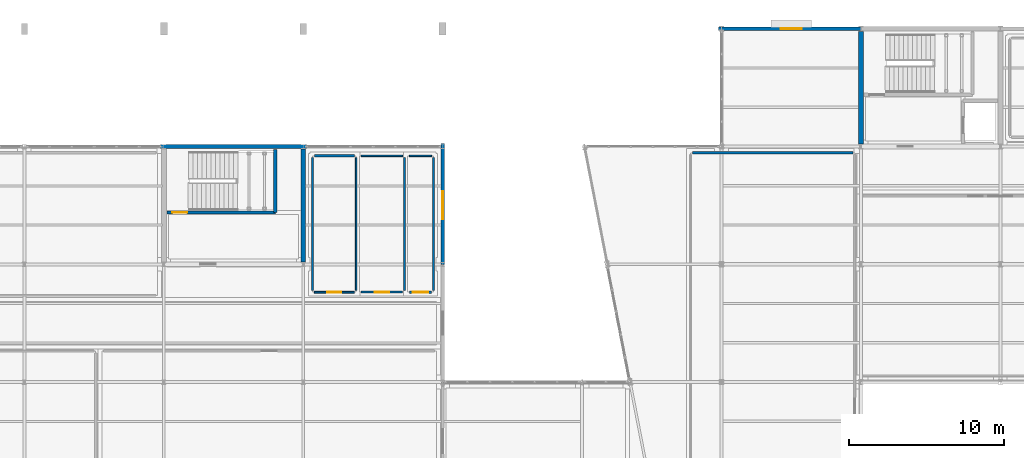
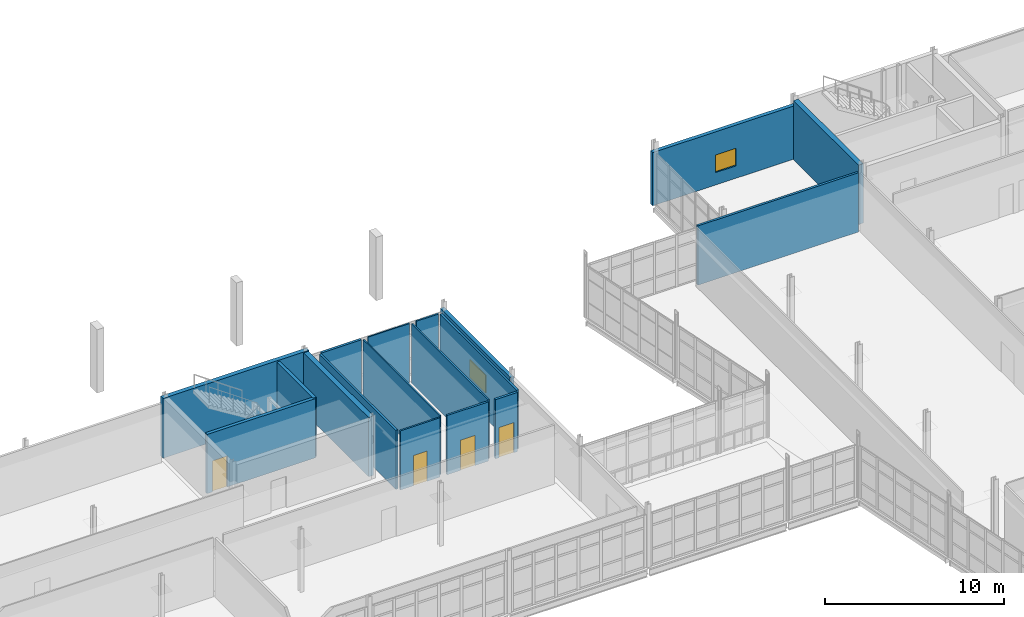
# One storey, part 157 of 166: 18 walls, 4 doors, 2 windows, 6 openings.
"""IFC4 building model written with IfcOpenShell, lengths in metres."""

from ifc_helpers import new_model, si_unit, direction, frame, frame_2d, origin, place, context, subcontext, project, spatial, rectangle, extrude, material, layer, layer_set, type_object, element, fill, save


model = new_model("IFC4")

# Units and contexts
model_context = context("Model", 3, precision=1e-05, world=origin(), true_north=direction((0.0, 1.0)))
body_context = subcontext(model_context, "Body", "Model", "MODEL_VIEW")
ifc_project = project(units=[si_unit("LENGTHUNIT", "METRE"), si_unit("AREAUNIT", "SQUARE_METRE"), si_unit("VOLUMEUNIT", "CUBIC_METRE"), si_unit("PLANEANGLEUNIT", "RADIAN"), si_unit("MASSUNIT", "GRAM", prefix="KILO")], contexts=[model_context])

# Site, building, storey
site_placement = place(None, origin())
site = spatial("IfcSite", under=ifc_project, at=site_placement, CompositionType="ELEMENT")
building_placement = place(site_placement, origin())
building = spatial("IfcBuilding", under=site, at=building_placement, Name="Caisbarro Railhouse Central Library", CompositionType="ELEMENT")
storey_placement = place(building_placement, frame((0.0, 0.0, 9.360107421875)))
storey = spatial("IfcBuildingStorey", under=building, at=storey_placement, Name="L02", CompositionType="ELEMENT", Elevation=9.360107421875)

# Walls
ifc_material_1 = material(Name="Concrete C40", Category="concrete")
ifc_layer_1 = layer(ifc_material_1, 0.320068359375, Name="Concrete C40")
ifc_layer_set_1 = layer_set([ifc_layer_1], Name="Concrete C40")
wall_type_1 = type_object("IfcWallType", Name="WAL-CW32", PredefinedType="SHEAR", material=ifc_layer_set_1)
for number, where, z_axis, x_axis, name in (
    (1, (126.0, 106.56005859375, 0.0), (0.0, 0.0, 1.0), (0.0, 1.0, 0.0), "CW32 RC core shear wall L02 #47"),
    (2, (90.0, 98.9599609375, 0.0), (0.0, 0.0, 1.0), (0.0, 1.0, 0.0), "CW32 RC core shear wall L02 #78"),
):
    element("IfcWall", number, at=place(storey_placement, frame(where, z_axis=z_axis, x_axis=x_axis)), inside=storey, type_object=wall_type_1, Name=name, PredefinedType="SHEAR", context=body_context, shape_type="SweptSolid", body=[
        extrude(rectangle(XDim=7.280029296875, YDim=0.320068359375, at=frame_2d((3.64013671875, 0.0))), origin(), (0.0, 0.0, 1.0), 4.039794921875),
    ])

# Wall, opening, window
ifc_material_2 = material(Name="Concrete C35 insulated architectural precast", Category="concrete")
ifc_layer_2 = layer(ifc_material_2, 0.239990234375, Name="Concrete C35 insulated architectural precast")
ifc_layer_set_2 = layer_set([ifc_layer_2], Name="Concrete C35 insulated architectural precast")
wall_type_2 = type_object("IfcWallType", Name="WAL-EW24", PredefinedType="STANDARD", material=ifc_layer_set_2)
wall_1_placement = place(storey_placement, frame((116.7900390625, 114.0, 0.0), z_axis=(0.0, 0.0, 1.0), x_axis=(1.0, 0.0, 0.0)))
wall_1 = element("IfcWall", 3, at=wall_1_placement, inside=storey, type_object=wall_type_2, Name="EW24 exterior wall L02 #213", PredefinedType="STANDARD", context=body_context, shape_type="SweptSolid", body=[
    extrude(rectangle(XDim=9.2099609375, YDim=0.239990234375, at=frame_2d((4.60498046875, 0.0))), origin(), (0.0, 0.0, 1.0), 3.630859375),
])
opening_1_placement = place(wall_1_placement, frame((4.034912109375, 0.0, 0.85009765625)))
opening_1 = element("IfcOpeningElement", 4, at=opening_1_placement, cuts=wall_1, Name="Opening W04", PredefinedType="OPENING", context=body_context, shape_type="SweptSolid", body=[
    extrude(rectangle(XDim=1.35009765625, YDim=1.199951171875, at=frame_2d((0.675048828125, 0.60009765625))), frame((0.0, 0.1298828125, 0.0), z_axis=(0.0, -1.0, 0.0), x_axis=(1.0, 0.0, 0.0)), (0.0, 0.0, 1.0), 0.260009765625),
])
ifc_material_3 = material(Name="Double low-e laminated solar-control glass", Category="glass")
window_type_1 = type_object("IfcWindowType", Name="WIN-W04", PartitioningType="SINGLE_PANEL", PredefinedType="WINDOW", material=ifc_material_3)
window_1_placement = place(opening_1_placement, origin())
window_1 = element("IfcWindow", 5, at=window_1_placement, inside=storey, type_object=window_type_1, Name="W04 window L02-072", OverallHeight=1.199951171875, OverallWidth=1.35009765625, PartitioningType="SINGLE_PANEL", PredefinedType="WINDOW", context=body_context, shape_type="SweptSolid", body=[
    extrude(rectangle(XDim=1.35009765625, YDim=1.199951171875, at=frame_2d((0.675048828125, 0.60009765625))), frame((0.0, 0.030029296875, 0.0), z_axis=(0.0, -1.0, 0.0), x_axis=(1.0, 0.0, 0.0)), (0.0, 0.0, 1.0), 0.06005859375),
])
fill(opening_1, window_1)

wall_2_placement = place(storey_placement, frame((99.0, 98.800048828125, 0.0), z_axis=(0.0, 0.0, 1.0), x_axis=(0.0, 1.0, 0.0)))
wall_2 = element("IfcWall", 6, at=wall_2_placement, inside=storey, type_object=wall_type_2, Name="EW24 exterior wall L02 #253", PredefinedType="STANDARD", context=body_context, shape_type="SweptSolid", body=[
    extrude(rectangle(XDim=7.81005859375, YDim=0.239990234375, at=frame_2d((3.905029296875, 0.0))), origin(), (0.0, 0.0, 1.0), 3.700927734375),
])
opening_2_placement = place(wall_2_placement, frame((2.89990234375, 0.0, 0.85009765625)))
opening_2 = element("IfcOpeningElement", 7, at=opening_2_placement, cuts=wall_2, Name="Opening W07", PredefinedType="OPENING", context=body_context, shape_type="SweptSolid", body=[
    extrude(rectangle(XDim=1.800048828125, YDim=1.199951171875, at=frame_2d((0.89990234375, 0.60009765625))), frame((0.0, 0.1298828125, 0.0), z_axis=(0.0, -1.0, 0.0), x_axis=(1.0, 0.0, 0.0)), (0.0, 0.0, 1.0), 0.260009765625),
])
window_type_2 = type_object("IfcWindowType", Name="WIN-W07", PartitioningType="SINGLE_PANEL", PredefinedType="WINDOW", material=ifc_material_3)
window_2_placement = place(opening_2_placement, origin())
window_2 = element("IfcWindow", 8, at=window_2_placement, inside=storey, type_object=window_type_2, Name="W07 window L02-100", OverallHeight=1.199951171875, OverallWidth=1.800048828125, PartitioningType="SINGLE_PANEL", PredefinedType="WINDOW", context=body_context, shape_type="SweptSolid", body=[
    extrude(rectangle(XDim=1.800048828125, YDim=1.199951171875, at=frame_2d((0.89990234375, 0.60009765625))), frame((0.0, 0.030029296875, 0.0), z_axis=(0.0, -1.0, 0.0), x_axis=(1.0, 0.0, 0.0)), (0.0, 0.0, 1.0), 0.06005859375),
])
fill(opening_2, window_2)

# Walls
ifc_layer_3 = layer(ifc_material_1, 0.280029296875, Name="Concrete C40")
ifc_layer_set_3 = layer_set([ifc_layer_3], Name="Concrete C40")
wall_type_3 = type_object("IfcWallType", Name="WAL-EW28", PredefinedType="SOLIDWALL", material=ifc_layer_set_3)
wall_3_placement = place(storey_placement, frame((80.7900390625, 106.39990234375, 0.0), z_axis=(0.0, 0.0, 1.0), x_axis=(1.0, 0.0, 0.0)))
element("IfcWall", 9, at=wall_3_placement, inside=storey, type_object=wall_type_3, Name="EW28 exterior wall L02 #248", PredefinedType="SOLIDWALL", context=body_context, shape_type="SweptSolid", body=[
    extrude(rectangle(XDim=9.419921875, YDim=0.280029296875, at=frame_2d((4.7099609375, 0.0))), origin(), (0.0, 0.0, 1.0), 4.079833984375),
])
ifc_material_4 = material(Name="Acoustic gypsum board on galvanised steel studs", Category="steel")
ifc_layer_4 = layer(ifc_material_4, 0.090087890625, Name="Acoustic gypsum board on galvanised steel studs")
ifc_layer_set_4 = layer_set([ifc_layer_4], Name="Acoustic gypsum board on galvanised steel studs")
wall_type_4 = type_object("IfcWallType", Name="WAL-IW09", PredefinedType="PARTITIONING", material=ifc_layer_set_4)
wall_4_placement = place(storey_placement, frame((93.416015625, 97.1201171875, 0.0), z_axis=(0.0, 0.0, 1.0), x_axis=(0.0, 1.0, 0.0)))
element("IfcWall", 10, at=wall_4_placement, inside=storey, type_object=wall_type_4, Name="IW09 partition wall L02 #499", PredefinedType="PARTITIONING", context=body_context, shape_type="SweptSolid", body=[
    extrude(rectangle(XDim=8.559814453125, YDim=0.090087890625, at=frame_2d((4.27978515625, 0.0))), origin(), (0.0, 0.0, 1.0), 4.039794921875),
])
wall_5_placement = place(storey_placement, frame((93.736083984375, 105.800048828125, 0.0), z_axis=(0.0, 0.0, 1.0), x_axis=(1.0, 0.0, 0.0)))
element("IfcWall", 11, at=wall_5_placement, inside=storey, type_object=wall_type_4, Name="IW09 partition wall L02 #503", PredefinedType="PARTITIONING", context=body_context, shape_type="SweptSolid", body=[
    extrude(rectangle(XDim=2.676025390625, YDim=0.090087890625, at=frame_2d((1.337890625, 0.0))), origin(), (0.0, 0.0, 1.0), 4.039794921875),
])

# Wall, opening, door
ifc_layer_5 = layer(ifc_material_4, 0.110107421875, Name="Acoustic gypsum board on galvanised steel studs")
ifc_layer_set_5 = layer_set([ifc_layer_5], Name="Acoustic gypsum board on galvanised steel studs")
wall_type_5 = type_object("IfcWallType", Name="WAL-IW11", PredefinedType="PARTITIONING", material=ifc_layer_set_5)
wall_6_placement = place(storey_placement, frame((90.719970703125, 97.0, 0.0), z_axis=(0.0, 0.0, 1.0), x_axis=(1.0, 0.0, 0.0)))
wall_6 = element("IfcWall", 12, at=wall_6_placement, inside=storey, type_object=wall_type_5, Name="IW11 partition wall L02 #498", PredefinedType="PARTITIONING", context=body_context, shape_type="SweptSolid", body=[
    extrude(rectangle(XDim=2.575927734375, YDim=0.110107421875, at=frame_2d((1.2880859375, 0.0))), origin(), (0.0, 0.0, 1.0), 4.039794921875),
])
opening_3_placement = place(wall_6_placement, frame((0.837890625, 0.0, 0.0)))
opening_3 = element("IfcOpeningElement", 13, at=opening_3_placement, cuts=wall_6, Name="Opening ID02", PredefinedType="OPENING", context=body_context, shape_type="SweptSolid", body=[
    extrude(rectangle(XDim=0.89990234375, YDim=2.06005859375, at=frame_2d((0.449951171875, 1.030029296875))), frame((0.0, 0.06494140625, 0.0), z_axis=(0.0, -1.0, 0.0), x_axis=(1.0, 0.0, 0.0)), (0.0, 0.0, 1.0), 0.130126953125),
])
ifc_material_5 = material(Name="Solid-core tropical hardwood veneer", Category="wood")
door_type_1 = type_object("IfcDoorType", Name="DR-ID02", OperationType="NOTDEFINED", PredefinedType="DOOR", material=ifc_material_5)
door_1_placement = place(opening_3_placement, origin())
door_1 = element("IfcDoor", 14, at=door_1_placement, inside=storey, type_object=door_type_1, Name="Male WC L02-V6 Door ID02 L02-288", OperationType="SINGLE_SWING_RIGHT", OverallHeight=2.06005859375, OverallWidth=0.89990234375, PredefinedType="DOOR", context=body_context, shape_type="SweptSolid", body=[
    extrude(rectangle(XDim=0.89990234375, YDim=2.06005859375, at=frame_2d((0.449951171875, 1.030029296875))), frame((0.0, 0.02490234375, 0.0), z_axis=(0.0, -1.0, 0.0), x_axis=(1.0, 0.0, 0.0)), (0.0, 0.0, 1.0), 0.050048828125),
])
fill(opening_3, door_1)

# Walls
wall_7_placement = place(storey_placement, frame((96.531982421875, 97.1201171875, 0.0), z_axis=(0.0, 0.0, 1.0), x_axis=(0.0, 1.0, 0.0)))
element("IfcWall", 15, at=wall_7_placement, inside=storey, type_object=wall_type_5, Name="IW11 partition wall L02 #502", PredefinedType="PARTITIONING", context=body_context, shape_type="SweptSolid", body=[
    extrude(rectangle(XDim=8.559814453125, YDim=0.110107421875, at=frame_2d((4.27978515625, 0.0))), origin(), (0.0, 0.0, 1.0), 4.039794921875),
])
wall_8_placement = place(storey_placement, frame((96.85205078125, 105.800048828125, 0.0), z_axis=(0.0, 0.0, 1.0), x_axis=(1.0, 0.0, 0.0)))
element("IfcWall", 16, at=wall_8_placement, inside=storey, type_object=wall_type_5, Name="IW11 partition wall L02 #506", PredefinedType="PARTITIONING", context=body_context, shape_type="SweptSolid", body=[
    extrude(rectangle(XDim=1.427978515625, YDim=0.110107421875, at=frame_2d((0.7138671875, 0.0))), origin(), (0.0, 0.0, 1.0), 4.039794921875),
])
ifc_layer_6 = layer(ifc_material_4, 0.1298828125, Name="Acoustic gypsum board on galvanised steel studs")
ifc_layer_set_6 = layer_set([ifc_layer_6], Name="Acoustic gypsum board on galvanised steel studs")
wall_type_6 = type_object("IfcWallType", Name="WAL-IW13", PredefinedType="PARTITIONING", material=ifc_layer_set_6)
wall_9_placement = place(storey_placement, frame((90.60009765625, 97.1201171875, 0.0), z_axis=(0.0, 0.0, 1.0), x_axis=(0.0, 1.0, 0.0)))
element("IfcWall", 17, at=wall_9_placement, inside=storey, type_object=wall_type_6, Name="IW13 partition wall L02 #497", PredefinedType="PARTITIONING", context=body_context, shape_type="SweptSolid", body=[
    extrude(rectangle(XDim=8.559814453125, YDim=0.1298828125, at=frame_2d((4.27978515625, 0.0))), origin(), (0.0, 0.0, 1.0), 4.039794921875),
])

# Wall, opening, door
wall_10_placement = place(storey_placement, frame((93.736083984375, 97.0, 0.0), z_axis=(0.0, 0.0, 1.0), x_axis=(1.0, 0.0, 0.0)))
wall_10 = element("IfcWall", 18, at=wall_10_placement, inside=storey, type_object=wall_type_6, Name="IW13 partition wall L02 #501", PredefinedType="PARTITIONING", context=body_context, shape_type="SweptSolid", body=[
    extrude(rectangle(XDim=2.676025390625, YDim=0.1298828125, at=frame_2d((1.337890625, 0.0))), origin(), (0.0, 0.0, 1.0), 4.039794921875),
])
opening_4_placement = place(wall_10_placement, frame((0.867919921875, 0.0, 0.0)))
opening_4 = element("IfcOpeningElement", 19, at=opening_4_placement, cuts=wall_10, Name="Opening ID03", PredefinedType="OPENING", context=body_context, shape_type="SweptSolid", body=[
    extrude(rectangle(XDim=0.93994140625, YDim=2.06005859375, at=frame_2d((0.469970703125, 1.030029296875))), frame((0.0, 0.074951171875, 0.0), z_axis=(0.0, -1.0, 0.0), x_axis=(1.0, 0.0, 0.0)), (0.0, 0.0, 1.0), 0.14990234375),
])
door_type_2 = type_object("IfcDoorType", Name="DR-ID03", OperationType="NOTDEFINED", PredefinedType="DOOR", material=ifc_material_5)
door_2_placement = place(opening_4_placement, origin())
door_2 = element("IfcDoor", 20, at=door_2_placement, inside=storey, type_object=door_type_2, Name="Female WC L02-V6 Door ID03 L02-289", OperationType="SINGLE_SWING_LEFT", OverallHeight=2.06005859375, OverallWidth=0.93994140625, PredefinedType="DOOR", context=body_context, shape_type="SweptSolid", body=[
    extrude(rectangle(XDim=0.93994140625, YDim=2.06005859375, at=frame_2d((0.469970703125, 1.030029296875))), frame((0.0, 0.02490234375, 0.0), z_axis=(0.0, -1.0, 0.0), x_axis=(1.0, 0.0, 0.0)), (0.0, 0.0, 1.0), 0.050048828125),
])
fill(opening_4, door_2)

# Walls
wall_11_placement = place(storey_placement, frame((98.39990234375, 97.1201171875, 0.0), z_axis=(0.0, 0.0, 1.0), x_axis=(0.0, 1.0, 0.0)))
element("IfcWall", 21, at=wall_11_placement, inside=storey, type_object=wall_type_6, Name="IW13 partition wall L02 #505", PredefinedType="PARTITIONING", context=body_context, shape_type="SweptSolid", body=[
    extrude(rectangle(XDim=8.559814453125, YDim=0.1298828125, at=frame_2d((4.27978515625, 0.0))), origin(), (0.0, 0.0, 1.0), 4.039794921875),
])
ifc_layer_7 = layer(ifc_material_4, 0.14990234375, Name="Acoustic gypsum board on galvanised steel studs")
ifc_layer_set_7 = layer_set([ifc_layer_7], Name="Acoustic gypsum board on galvanised steel studs")
wall_type_7 = type_object("IfcWallType", Name="WAL-IW15", PredefinedType="PARTITIONING", material=ifc_layer_set_7)
wall_12_placement = place(storey_placement, frame((90.719970703125, 105.800048828125, 0.0), z_axis=(0.0, 0.0, 1.0), x_axis=(1.0, 0.0, 0.0)))
element("IfcWall", 22, at=wall_12_placement, inside=storey, type_object=wall_type_7, Name="IW15 partition wall L02 #500", PredefinedType="PARTITIONING", context=body_context, shape_type="SweptSolid", body=[
    extrude(rectangle(XDim=2.575927734375, YDim=0.14990234375, at=frame_2d((1.2880859375, 0.0))), origin(), (0.0, 0.0, 1.0), 4.039794921875),
])

# Wall, opening, door
wall_13_placement = place(storey_placement, frame((96.85205078125, 97.0, 0.0), z_axis=(0.0, 0.0, 1.0), x_axis=(1.0, 0.0, 0.0)))
wall_13 = element("IfcWall", 23, at=wall_13_placement, inside=storey, type_object=wall_type_7, Name="IW15 partition wall L02 #504", PredefinedType="PARTITIONING", context=body_context, shape_type="SweptSolid", body=[
    extrude(rectangle(XDim=1.427978515625, YDim=0.14990234375, at=frame_2d((0.7138671875, 0.0))), origin(), (0.0, 0.0, 1.0), 4.039794921875),
])
opening_5_placement = place(wall_13_placement, frame((0.22412109375, 0.0, 0.0)))
opening_5 = element("IfcOpeningElement", 24, at=opening_5_placement, cuts=wall_13, Name="Opening ID04", PredefinedType="OPENING", context=body_context, shape_type="SweptSolid", body=[
    extrude(rectangle(XDim=0.97998046875, YDim=2.06005859375, at=frame_2d((0.489990234375, 1.030029296875))), frame((0.0, 0.0849609375, 0.0), z_axis=(0.0, -1.0, 0.0), x_axis=(1.0, 0.0, 0.0)), (0.0, 0.0, 1.0), 0.169921875),
])
door_type_3 = type_object("IfcDoorType", Name="DR-ID04", OperationType="NOTDEFINED", PredefinedType="DOOR", material=ifc_material_5)
door_3_placement = place(opening_5_placement, origin())
door_3 = element("IfcDoor", 25, at=door_3_placement, inside=storey, type_object=door_type_3, Name="Accessible WC L02-V6 Door ID04 L02-290", OperationType="SINGLE_SWING_RIGHT", OverallHeight=2.06005859375, OverallWidth=0.97998046875, PredefinedType="DOOR", context=body_context, shape_type="SweptSolid", body=[
    extrude(rectangle(XDim=0.97998046875, YDim=2.06005859375, at=frame_2d((0.489990234375, 1.030029296875))), frame((0.0, 0.02490234375, 0.0), z_axis=(0.0, -1.0, 0.0), x_axis=(1.0, 0.0, 0.0)), (0.0, 0.0, 1.0), 0.050048828125),
])
fill(opening_5, door_3)

# Wall
wall_14_placement = place(storey_placement, frame((115.1201171875, 106.0, 0.0), z_axis=(0.0, 0.0, 1.0), x_axis=(1.0, 0.0, 0.0)))
element("IfcWall", 26, at=wall_14_placement, inside=storey, type_object=wall_type_7, Name="IW15 partition wall L02 #512", PredefinedType="PARTITIONING", context=body_context, shape_type="SweptSolid", body=[
    extrude(rectangle(XDim=10.35986328125, YDim=0.14990234375, at=frame_2d((5.179931640625, 0.0))), origin(), (0.0, 0.0, 1.0), 4.039794921875),
])

# Wall, opening, door
ifc_layer_8 = layer(ifc_material_1, 0.2099609375, Name="Concrete C40")
ifc_layer_set_8 = layer_set([ifc_layer_8], Name="Concrete C40")
wall_type_8 = type_object("IfcWallType", Name="WAL-SW21", PredefinedType="SOLIDWALL", material=ifc_layer_set_8)
wall_15_placement = place(storey_placement, frame((81.199951171875, 102.14990234375, 0.0), z_axis=(0.0, 0.0, 1.0), x_axis=(1.0, 0.0, 0.0)))
wall_15 = element("IfcWall", 27, at=wall_15_placement, inside=storey, type_object=wall_type_8, Name="SW21 core shaft wall L02 #139", PredefinedType="SOLIDWALL", context=body_context, shape_type="SweptSolid", body=[
    extrude(rectangle(XDim=7.0, YDim=0.2099609375, at=frame_2d((3.5, 0.0))), origin(), (0.0, 0.0, 1.0), 4.039794921875),
])
opening_6_placement = place(wall_15_placement, frame((0.35009765625, 0.0, 0.0)))
opening_6 = element("IfcOpeningElement", 28, at=opening_6_placement, cuts=wall_15, Name="Opening FD01", PredefinedType="OPENING", context=body_context, shape_type="SweptSolid", body=[
    extrude(rectangle(XDim=0.949951171875, YDim=2.1201171875, at=frame_2d((0.47509765625, 1.06005859375))), frame((0.0, 0.114990234375, 0.0), z_axis=(0.0, -1.0, 0.0), x_axis=(1.0, 0.0, 0.0)), (0.0, 0.0, 1.0), 0.22998046875),
])
ifc_material_6 = material(Name="Fire-rated painted galvanised steel", Category="steel")
door_type_4 = type_object("IfcDoorType", Name="DR-FD01", OperationType="NOTDEFINED", PredefinedType="DOOR", material=ifc_material_6)
door_4_placement = place(opening_6_placement, origin())
door_4 = element("IfcDoor", 29, at=door_4_placement, inside=storey, type_object=door_type_4, Name="Stair ST-05 Fire Door FD01 L02-115", OperationType="SINGLE_SWING_RIGHT", OverallHeight=2.1201171875, OverallWidth=0.949951171875, PredefinedType="DOOR", context=body_context, shape_type="SweptSolid", body=[
    extrude(rectangle(XDim=0.949951171875, YDim=2.1201171875, at=frame_2d((0.47509765625, 1.06005859375))), frame((0.0, 0.02490234375, 0.0), z_axis=(0.0, -1.0, 0.0), x_axis=(1.0, 0.0, 0.0)), (0.0, 0.0, 1.0), 0.050048828125),
])
fill(opening_6, door_4)

# Wall
wall_16_placement = place(storey_placement, frame((88.199951171875, 102.14990234375, 0.0), z_axis=(0.0, 0.0, 1.0), x_axis=(0.0, 1.0, 0.0)))
element("IfcWall", 30, at=wall_16_placement, inside=storey, type_object=wall_type_8, Name="SW21 core shaft wall L02 #140", PredefinedType="SOLIDWALL", context=body_context, shape_type="SweptSolid", body=[
    extrude(rectangle(XDim=4.050048828125, YDim=0.2099609375, at=frame_2d((2.02490234375, 0.0))), origin(), (0.0, 0.0, 1.0), 4.039794921875),
])

save(model, "model.ifc")
